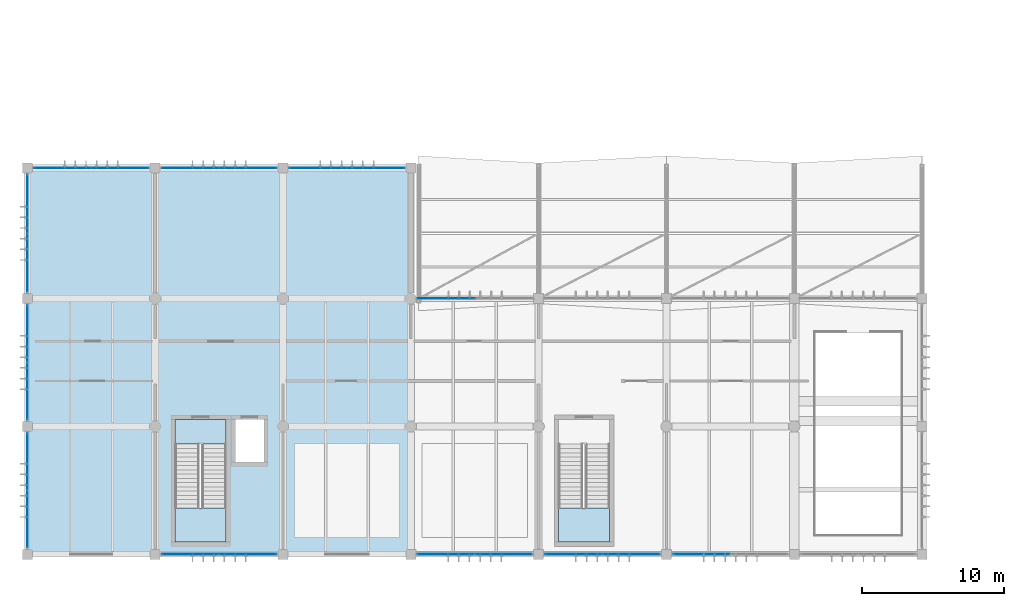
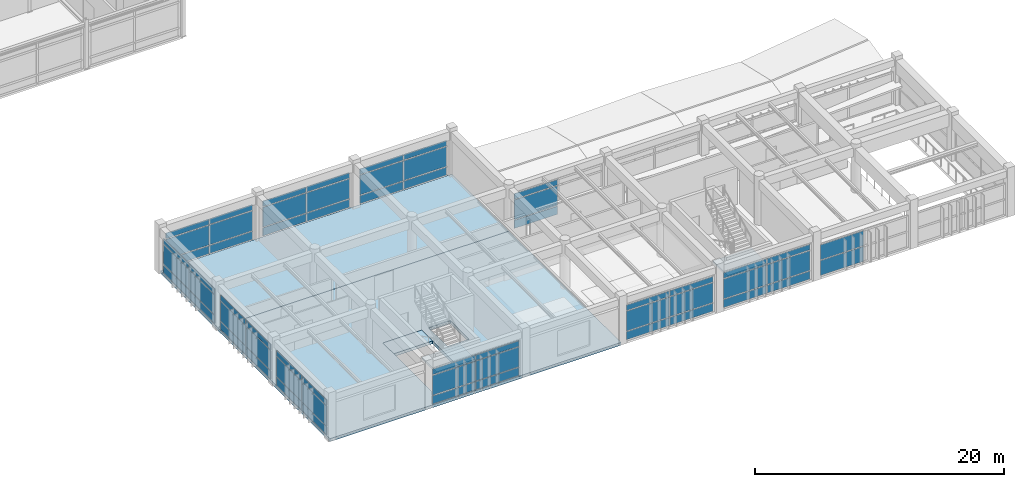
# One storey, part 52 of 90: 59 plates, 5 slabs, 13 elements without a shape of their own.
"""IFC4 building model written with IfcOpenShell, lengths in metres."""

import ifcopenshell
import ifcopenshell.guid

model = None  # the IFC model being written
_history = None  # IfcOwnerHistory: only IFC2X3 demands one
_inside = {}  # id of a spatial element -> (the spatial element, [elements in it])
_under = {}  # id of a project, library or spatial element -> (it, [spatial elements below it])
_declared = {}  # id of a project -> (the project, [libraries it declares])
_typed = {}  # id of a type object -> (the type object, [elements of that type])
_made_of = {}  # id of a material, layer set ... -> (it, [elements and type objects made of it])


def new_model(schema):
    """Start an empty IFC model of exactly this schema.

    Asked for "IFC4X3", IfcOpenShell would pick the latest addendum, in which some entities
    have other attributes; the version numbers below select the first issue.
    IFC2X3 requires an IfcOwnerHistory on every rooted entity: one is made here for all.
    """
    global model, _history
    if schema == "IFC4X3":
        model = ifcopenshell.file(schema_version=(4, 3, 0, 0))
    else:
        model = ifcopenshell.file(schema=schema)
    _inside.clear()
    _under.clear()
    _declared.clear()
    _typed.clear()
    _made_of.clear()
    _history = None
    if model.schema == "IFC2X3":
        org = make("IfcOrganization", Name="unknown")
        user = make(
            "IfcPersonAndOrganization",
            ThePerson=make("IfcPerson", FamilyName="unknown"),
            TheOrganization=org,
        )
        app = make(
            "IfcApplication",
            ApplicationDeveloper=org,
            Version="unknown",
            ApplicationFullName="unknown",
            ApplicationIdentifier="unknown",
        )
        _history = make(
            "IfcOwnerHistory",
            OwningUser=user,
            OwningApplication=app,
            ChangeAction="ADDED",
            CreationDate=0,
        )
    return model


def make(cls, **values):
    """One entity of the class cls with the attributes given. An attribute that is None is left unset."""
    return model.create_entity(
        cls, **{name: value for name, value in values.items() if value is not None}
    )


def rooted(cls, **values):
    """An entity with a GlobalId (a new one), such as an element, a storey or a relation."""
    return make(cls, GlobalId=ifcopenshell.guid.new(), OwnerHistory=_history, **values)


def si_unit(unit_type, name, prefix=None):
    """IfcSIUnit, for example si_unit("LENGTHUNIT", "METRE", prefix="MILLI")."""
    return make("IfcSIUnit", UnitType=unit_type, Prefix=prefix, Name=name)


def assignment(units):
    """IfcUnitAssignment: the units of a project."""
    return None if units is None else make("IfcUnitAssignment", Units=units)


def point(xyz):
    """IfcCartesianPoint."""
    return None if xyz is None else make("IfcCartesianPoint", Coordinates=xyz)


def direction(xyz):
    """IfcDirection."""
    return None if xyz is None else make("IfcDirection", DirectionRatios=xyz)


def frame(location, z_axis=None, x_axis=None):
    """IfcAxis2Placement3D, a coordinate frame: its origin and axes. An axis left out is left unset."""
    return make(
        "IfcAxis2Placement3D",
        Location=point(location),
        Axis=direction(z_axis),
        RefDirection=direction(x_axis),
    )


def frame_2d(location, x_axis=None):
    """IfcAxis2Placement2D, a coordinate frame in the plane: its origin and x axis."""
    return make(
        "IfcAxis2Placement2D", Location=point(location), RefDirection=direction(x_axis)
    )


def origin():
    """The frame at (0, 0, 0) with its axes left unset."""
    return frame((0.0, 0.0, 0.0))


def origin_2d():
    """The frame at (0, 0) in the plane with its x axis left unset."""
    return frame_2d((0.0, 0.0))


def place(relative_to, where):
    """IfcLocalPlacement: puts the frame where relative to a parent placement (None: the world)."""
    return make(
        "IfcLocalPlacement", PlacementRelTo=relative_to, RelativePlacement=where
    )


def context(
    kind, dimensions, precision=None, world=None, true_north=None, identifier=None
):
    """IfcGeometricRepresentationContext, for example the 3D "Model" context."""
    return make(
        "IfcGeometricRepresentationContext",
        ContextIdentifier=identifier,
        ContextType=kind,
        CoordinateSpaceDimension=dimensions,
        Precision=precision,
        WorldCoordinateSystem=world,
        TrueNorth=true_north,
    )


def subcontext(parent, identifier, kind, view, scale=None):
    """IfcGeometricRepresentationSubContext, for example "Body" below "Model"."""
    return make(
        "IfcGeometricRepresentationSubContext",
        ContextIdentifier=identifier,
        ContextType=kind,
        ParentContext=parent,
        TargetScale=scale,
        TargetView=view,
    )


def project(units=None, contexts=None):
    """IfcProject with its units and contexts."""
    return rooted(
        "IfcProject",
        Name="project",
        RepresentationContexts=contexts,
        UnitsInContext=assignment(units),
    )


def spatial(cls, under=None, at=None, **own):
    """A site, building, storey or space (cls), placed at a placement, below another one or the project."""
    s = rooted(cls, ObjectPlacement=at, **own)
    if under is not None:
        _under.setdefault(under.id(), (under, []))[1].append(s)
    return s


def polyline(points):
    """IfcPolyline through the points."""
    return make("IfcPolyline", Points=[point(p) for p in points])


def profile(cls, at=None, kind="AREA", **sizes):
    """A parametric profile (cls). Its sizes go by their IFC names, for example OverallWidth=200.0."""
    return make(cls, ProfileType=kind, Position=at, **sizes)


def rectangle(**sizes):
    """IfcRectangleProfileDef."""
    return profile("IfcRectangleProfileDef", **sizes)


def outline(outer, holes=None, kind="AREA"):
    """IfcArbitraryClosedProfileDef: a profile drawn as a closed curve; with holes, ...WithVoids."""
    if holes is None:
        return make("IfcArbitraryClosedProfileDef", ProfileType=kind, OuterCurve=outer)
    return make(
        "IfcArbitraryProfileDefWithVoids",
        ProfileType=kind,
        OuterCurve=outer,
        InnerCurves=holes,
    )


def extrude(swept, where, along, depth):
    """IfcExtrudedAreaSolid: the profile swept, set in the frame where, extruded along a direction by depth."""
    return make(
        "IfcExtrudedAreaSolid",
        SweptArea=swept,
        Position=where,
        ExtrudedDirection=direction(along),
        Depth=depth,
    )


def shape(context_of_items, identifier, shape_type, items):
    """IfcShapeRepresentation: the items that make up one representation, for example the "Body"."""
    return make(
        "IfcShapeRepresentation",
        ContextOfItems=context_of_items,
        RepresentationIdentifier=identifier,
        RepresentationType=shape_type,
        Items=items,
    )


def material(Name=None, Category=None):
    """IfcMaterial."""
    return make("IfcMaterial", Name=Name, Category=Category)


def layer(
    of_material, thickness, ventilated=None, Name=None, Category=None, Priority=None
):
    """IfcMaterialLayer: one layer of a wall or slab, of a material (None: an air gap)."""
    return make(
        "IfcMaterialLayer",
        Material=of_material,
        LayerThickness=thickness,
        IsVentilated=ventilated,
        Name=Name,
        Category=Category,
        Priority=Priority,
    )


def layer_set(layers, Name=None):
    """IfcMaterialLayerSet."""
    return make("IfcMaterialLayerSet", MaterialLayers=layers, LayerSetName=Name)


def made_of(thing, what):
    """Note that an element or type object is made of a material, layer set ...; save() writes the relation."""
    if what is not None:
        _made_of.setdefault(what.id(), (what, []))[1].append(thing)
    return thing


def type_object(cls, material=None, **own):
    """A type object (cls), such as IfcWallType, which elements share."""
    return made_of(rooted(cls, **own), material)


def element(
    cls,
    number,
    at=None,
    inside=None,
    cuts=None,
    type_object=None,
    material=None,
    context=None,
    identifier="Body",
    shape_type=None,
    held_by="IfcProductDefinitionShape",
    body=None,
    shapes=None,
    **own,
):
    """One element of the class cls, such as IfcWall. Its Tag is "e" and its number.

    at: its placement. inside: the storey or other place that contains it. cuts: it is an
    opening in that element (IfcRelVoidsElement). A single representation is given by context,
    identifier, shape_type and body (its items); several are given by shapes. held_by: the class
    of the entity that holds the representations. save() writes the other relations.
    """
    e = rooted(cls, Tag="e%d" % number, ObjectPlacement=at, **own)
    if body is not None:
        shapes = [shape(context, identifier, shape_type, body)]
    if shapes is not None:
        e.Representation = make(held_by, Representations=shapes)
    if inside is not None:
        _inside.setdefault(inside.id(), (inside, []))[1].append(e)
    if cuts is not None:
        rooted(
            "IfcRelVoidsElement", RelatingBuildingElement=cuts, RelatedOpeningElement=e
        )
    if type_object is not None:
        _typed.setdefault(type_object.id(), (type_object, []))[1].append(e)
    return made_of(e, material)


def aggregate(whole, parts):
    """IfcRelAggregates: a whole, such as a stair, and the parts it consists of."""
    return rooted("IfcRelAggregates", RelatingObject=whole, RelatedObjects=parts)


def save(model, path):
    """Write the relations noted so far, then the file.

    IfcRelAggregates (storeys below a building ...), IfcRelContainedInSpatialStructure (elements
    in a storey), IfcRelDefinesByType, IfcRelAssociatesMaterial and IfcRelDeclares: one each for
    every whole, place, type object, material and project.
    """
    for whole, parts in _under.values():
        aggregate(whole, parts)
    for where, things in _inside.values():
        rooted(
            "IfcRelContainedInSpatialStructure",
            RelatedElements=things,
            RelatingStructure=where,
        )
    for kind, things in _typed.values():
        rooted("IfcRelDefinesByType", RelatedObjects=things, RelatingType=kind)
    for what, things in _made_of.values():
        rooted("IfcRelAssociatesMaterial", RelatedObjects=things, RelatingMaterial=what)
    for by, libraries in _declared.values():
        rooted("IfcRelDeclares", RelatingContext=by, RelatedDefinitions=libraries)
    model.write(path)


model = new_model("IFC4")

# Units and contexts
model_context = context("Model", 3, precision=1e-05, world=origin(), true_north=direction((0.0, 1.0)))
body_context = subcontext(model_context, "Body", "Model", "MODEL_VIEW")
ifc_project = project(units=[si_unit("LENGTHUNIT", "METRE"), si_unit("AREAUNIT", "SQUARE_METRE"), si_unit("VOLUMEUNIT", "CUBIC_METRE"), si_unit("PLANEANGLEUNIT", "RADIAN"), si_unit("MASSUNIT", "GRAM", prefix="KILO")], contexts=[model_context])

# Site, building, storey
site_placement = place(None, origin())
site = spatial("IfcSite", under=ifc_project, at=site_placement, CompositionType="ELEMENT")
building_placement = place(site_placement, origin())
building = spatial("IfcBuilding", under=site, at=building_placement, Name="Bozkorgan Art Gallery", CompositionType="ELEMENT")
storey_placement = place(building_placement, frame((0.0, 0.0, 5.39990234375)))
storey = spatial("IfcBuildingStorey", under=building, at=storey_placement, Name="L01", CompositionType="ELEMENT", Elevation=5.39990234375)

# Curtain wall, plates
ifc_material_1 = material(Name="Anodised Bronze Aluminium", Category="aluminium")
curtain_wall_type_1 = type_object("IfcCurtainWallType", Name="CW-CW-94", PredefinedType="NOTDEFINED", material=ifc_material_1)
curtain_wall_1_placement = place(storey_placement, origin())
curtain_wall_1 = element("IfcCurtainWall", 1, at=curtain_wall_1_placement, inside=storey, type_object=curtain_wall_type_1, Name="L01 unitised curtain wall CW-V1-L01-1S-02", PredefinedType="NOTDEFINED")
ifc_material_2 = material(Name="Triple Low-E Laminated Glass", Category="glass")
ifc_layer_1 = layer(ifc_material_2, 0.0439453125, Name="Triple Low-E Laminated Glass")
ifc_layer_set_1 = layer_set([ifc_layer_1], Name="Triple Low-E Laminated Glass")
plate_type = type_object("IfcPlateType", Name="CWP-GLZ", PredefinedType="CURTAIN_PANEL", material=ifc_layer_set_1)
plate_1_placement = place(storey_placement, frame((13.4736328125, 2.0, 0.094970703125), z_axis=(0.0, 0.0, 1.0), x_axis=(1.0, 0.0, 0.0)))
plate_1 = element("IfcPlate", 2, at=plate_1_placement, type_object=plate_type, Name="CW-94 panel 1.1", PredefinedType="CURTAIN_PANEL", context=body_context, shape_type="SweptSolid", body=[
    extrude(rectangle(XDim=3.987548828125, YDim=0.0439453125, at=origin_2d()), origin(), (0.0, 0.0, 1.0), 0.78759765625),
])
plate_2_placement = place(storey_placement, frame((13.4736328125, 2.0, 0.95751953125), z_axis=(0.0, 0.0, 1.0), x_axis=(1.0, 0.0, 0.0)))
plate_2 = element("IfcPlate", 3, at=plate_2_placement, type_object=plate_type, Name="CW-94 panel 1.2", PredefinedType="CURTAIN_PANEL", context=body_context, shape_type="SweptSolid", body=[
    extrude(rectangle(XDim=3.987548828125, YDim=0.0439453125, at=origin_2d()), origin(), (0.0, 0.0, 1.0), 1.929931640625),
])
plate_3_placement = place(storey_placement, frame((13.4736328125, 2.0, 2.962646484375), z_axis=(0.0, 0.0, 1.0), x_axis=(1.0, 0.0, 0.0)))
plate_3 = element("IfcPlate", 4, at=plate_3_placement, type_object=plate_type, Name="CW-94 panel 1.3", PredefinedType="CURTAIN_PANEL", context=body_context, shape_type="SweptSolid", body=[
    extrude(rectangle(XDim=3.987548828125, YDim=0.0439453125, at=origin_2d()), origin(), (0.0, 0.0, 1.0), 0.53759765625),
])
plate_4_placement = place(storey_placement, frame((17.5263671875, 2.0, 0.094970703125), z_axis=(0.0, 0.0, 1.0), x_axis=(1.0, 0.0, 0.0)))
plate_4 = element("IfcPlate", 5, at=plate_4_placement, type_object=plate_type, Name="CW-94 panel 2.1", PredefinedType="CURTAIN_PANEL", context=body_context, shape_type="SweptSolid", body=[
    extrude(rectangle(XDim=3.987548828125, YDim=0.0439453125, at=origin_2d()), origin(), (0.0, 0.0, 1.0), 0.78759765625),
])
plate_5_placement = place(storey_placement, frame((17.5263671875, 2.0, 0.95751953125), z_axis=(0.0, 0.0, 1.0), x_axis=(1.0, 0.0, 0.0)))
plate_5 = element("IfcPlate", 6, at=plate_5_placement, type_object=plate_type, Name="CW-94 panel 2.2", PredefinedType="CURTAIN_PANEL", context=body_context, shape_type="SweptSolid", body=[
    extrude(rectangle(XDim=3.987548828125, YDim=0.0439453125, at=origin_2d()), origin(), (0.0, 0.0, 1.0), 1.929931640625),
])
plate_6_placement = place(storey_placement, frame((17.5263671875, 2.0, 2.962646484375), z_axis=(0.0, 0.0, 1.0), x_axis=(1.0, 0.0, 0.0)))
plate_6 = element("IfcPlate", 7, at=plate_6_placement, type_object=plate_type, Name="CW-94 panel 2.3", PredefinedType="CURTAIN_PANEL", context=body_context, shape_type="SweptSolid", body=[
    extrude(rectangle(XDim=3.987548828125, YDim=0.0439453125, at=origin_2d()), origin(), (0.0, 0.0, 1.0), 0.53759765625),
])
aggregate(curtain_wall_1, [plate_1, plate_2, plate_3, plate_4, plate_5, plate_6])

curtain_wall_2_placement = place(storey_placement, origin())
curtain_wall_2 = element("IfcCurtainWall", 8, at=curtain_wall_2_placement, inside=storey, type_object=curtain_wall_type_1, Name="L01 unitised curtain wall CW-V1-L01-1S-04", PredefinedType="NOTDEFINED")
plate_7_placement = place(storey_placement, frame((31.4736328125, 2.0, 0.094970703125), z_axis=(0.0, 0.0, 1.0), x_axis=(1.0, 0.0, 0.0)))
plate_7 = element("IfcPlate", 9, at=plate_7_placement, type_object=plate_type, Name="CW-94 panel 1.1", PredefinedType="CURTAIN_PANEL", context=body_context, shape_type="SweptSolid", body=[
    extrude(rectangle(XDim=3.987548828125, YDim=0.0439453125, at=origin_2d()), origin(), (0.0, 0.0, 1.0), 0.78759765625),
])
plate_8_placement = place(storey_placement, frame((31.4736328125, 2.0, 0.95751953125), z_axis=(0.0, 0.0, 1.0), x_axis=(1.0, 0.0, 0.0)))
plate_8 = element("IfcPlate", 10, at=plate_8_placement, type_object=plate_type, Name="CW-94 panel 1.2", PredefinedType="CURTAIN_PANEL", context=body_context, shape_type="SweptSolid", body=[
    extrude(rectangle(XDim=3.987548828125, YDim=0.0439453125, at=origin_2d()), origin(), (0.0, 0.0, 1.0), 1.929931640625),
])
plate_9_placement = place(storey_placement, frame((31.4736328125, 2.0, 2.962646484375), z_axis=(0.0, 0.0, 1.0), x_axis=(1.0, 0.0, 0.0)))
plate_9 = element("IfcPlate", 11, at=plate_9_placement, type_object=plate_type, Name="CW-94 panel 1.3", PredefinedType="CURTAIN_PANEL", context=body_context, shape_type="SweptSolid", body=[
    extrude(rectangle(XDim=3.987548828125, YDim=0.0439453125, at=origin_2d()), origin(), (0.0, 0.0, 1.0), 0.53759765625),
])
plate_10_placement = place(storey_placement, frame((35.5263671875, 2.0, 0.094970703125), z_axis=(0.0, 0.0, 1.0), x_axis=(1.0, 0.0, 0.0)))
plate_10 = element("IfcPlate", 12, at=plate_10_placement, type_object=plate_type, Name="CW-94 panel 2.1", PredefinedType="CURTAIN_PANEL", context=body_context, shape_type="SweptSolid", body=[
    extrude(rectangle(XDim=3.987548828125, YDim=0.0439453125, at=origin_2d()), origin(), (0.0, 0.0, 1.0), 0.78759765625),
])
plate_11_placement = place(storey_placement, frame((35.5263671875, 2.0, 0.95751953125), z_axis=(0.0, 0.0, 1.0), x_axis=(1.0, 0.0, 0.0)))
plate_11 = element("IfcPlate", 13, at=plate_11_placement, type_object=plate_type, Name="CW-94 panel 2.2", PredefinedType="CURTAIN_PANEL", context=body_context, shape_type="SweptSolid", body=[
    extrude(rectangle(XDim=3.987548828125, YDim=0.0439453125, at=origin_2d()), origin(), (0.0, 0.0, 1.0), 1.929931640625),
])
plate_12_placement = place(storey_placement, frame((35.5263671875, 2.0, 2.962646484375), z_axis=(0.0, 0.0, 1.0), x_axis=(1.0, 0.0, 0.0)))
plate_12 = element("IfcPlate", 14, at=plate_12_placement, type_object=plate_type, Name="CW-94 panel 2.3", PredefinedType="CURTAIN_PANEL", context=body_context, shape_type="SweptSolid", body=[
    extrude(rectangle(XDim=3.987548828125, YDim=0.0439453125, at=origin_2d()), origin(), (0.0, 0.0, 1.0), 0.53759765625),
])
aggregate(curtain_wall_2, [plate_7, plate_8, plate_9, plate_10, plate_11, plate_12])

curtain_wall_type_2 = type_object("IfcCurtainWallType", Name="CW-CW-40", PredefinedType="NOTDEFINED", material=ifc_material_1)
curtain_wall_3_placement = place(storey_placement, origin())
curtain_wall_3 = element("IfcCurtainWall", 15, at=curtain_wall_3_placement, inside=storey, type_object=curtain_wall_type_2, Name="L01 unitised curtain wall CW-V1-L01-1N-05", PredefinedType="NOTDEFINED")
plate_13_placement = place(storey_placement, frame((31.486328125, 20.0, 0.094970703125), z_axis=(0.0, 0.0, 1.0), x_axis=(1.0, 0.0, 0.0)))
plate_13 = element("IfcPlate", 16, at=plate_13_placement, type_object=plate_type, Name="CW-40 panel 1.1", PredefinedType="CURTAIN_PANEL", context=body_context, shape_type="SweptSolid", body=[
    extrude(rectangle(XDim=4.012451171875, YDim=0.0439453125, at=origin_2d()), origin(), (0.0, 0.0, 1.0), 0.78759765625),
])
plate_14_placement = place(storey_placement, frame((31.486328125, 20.0, 0.95751953125), z_axis=(0.0, 0.0, 1.0), x_axis=(1.0, 0.0, 0.0)))
plate_14 = element("IfcPlate", 17, at=plate_14_placement, type_object=plate_type, Name="CW-40 panel 1.2", PredefinedType="CURTAIN_PANEL", context=body_context, shape_type="SweptSolid", body=[
    extrude(rectangle(XDim=4.012451171875, YDim=0.0439453125, at=origin_2d()), origin(), (0.0, 0.0, 1.0), 1.929931640625),
])
plate_15_placement = place(storey_placement, frame((31.486328125, 20.0, 2.962646484375), z_axis=(0.0, 0.0, 1.0), x_axis=(1.0, 0.0, 0.0)))
plate_15 = element("IfcPlate", 18, at=plate_15_placement, type_object=plate_type, Name="CW-40 panel 1.3", PredefinedType="CURTAIN_PANEL", context=body_context, shape_type="SweptSolid", body=[
    extrude(rectangle(XDim=4.012451171875, YDim=0.0439453125, at=origin_2d()), origin(), (0.0, 0.0, 1.0), 0.53759765625),
])
aggregate(curtain_wall_3, [plate_13, plate_14, plate_15])

curtain_wall_4_placement = place(storey_placement, origin())
curtain_wall_4 = element("IfcCurtainWall", 19, at=curtain_wall_4_placement, inside=storey, type_object=curtain_wall_type_1, Name="L01 unitised curtain wall CW-V1-L01-1S-06", PredefinedType="NOTDEFINED")
plate_16_placement = place(storey_placement, frame((40.4736328125, 2.0, 0.094970703125), z_axis=(0.0, 0.0, 1.0), x_axis=(1.0, 0.0, 0.0)))
plate_16 = element("IfcPlate", 20, at=plate_16_placement, type_object=plate_type, Name="CW-94 panel 1.1", PredefinedType="CURTAIN_PANEL", context=body_context, shape_type="SweptSolid", body=[
    extrude(rectangle(XDim=3.987548828125, YDim=0.0439453125, at=origin_2d()), origin(), (0.0, 0.0, 1.0), 0.78759765625),
])
plate_17_placement = place(storey_placement, frame((40.4736328125, 2.0, 0.95751953125), z_axis=(0.0, 0.0, 1.0), x_axis=(1.0, 0.0, 0.0)))
plate_17 = element("IfcPlate", 21, at=plate_17_placement, type_object=plate_type, Name="CW-94 panel 1.2", PredefinedType="CURTAIN_PANEL", context=body_context, shape_type="SweptSolid", body=[
    extrude(rectangle(XDim=3.987548828125, YDim=0.0439453125, at=origin_2d()), origin(), (0.0, 0.0, 1.0), 1.929931640625),
])
plate_18_placement = place(storey_placement, frame((40.4736328125, 2.0, 2.962646484375), z_axis=(0.0, 0.0, 1.0), x_axis=(1.0, 0.0, 0.0)))
plate_18 = element("IfcPlate", 22, at=plate_18_placement, type_object=plate_type, Name="CW-94 panel 1.3", PredefinedType="CURTAIN_PANEL", context=body_context, shape_type="SweptSolid", body=[
    extrude(rectangle(XDim=3.987548828125, YDim=0.0439453125, at=origin_2d()), origin(), (0.0, 0.0, 1.0), 0.53759765625),
])
plate_19_placement = place(storey_placement, frame((44.5263671875, 2.0, 0.094970703125), z_axis=(0.0, 0.0, 1.0), x_axis=(1.0, 0.0, 0.0)))
plate_19 = element("IfcPlate", 23, at=plate_19_placement, type_object=plate_type, Name="CW-94 panel 2.1", PredefinedType="CURTAIN_PANEL", context=body_context, shape_type="SweptSolid", body=[
    extrude(rectangle(XDim=3.987548828125, YDim=0.0439453125, at=origin_2d()), origin(), (0.0, 0.0, 1.0), 0.78759765625),
])
plate_20_placement = place(storey_placement, frame((44.5263671875, 2.0, 0.95751953125), z_axis=(0.0, 0.0, 1.0), x_axis=(1.0, 0.0, 0.0)))
plate_20 = element("IfcPlate", 24, at=plate_20_placement, type_object=plate_type, Name="CW-94 panel 2.2", PredefinedType="CURTAIN_PANEL", context=body_context, shape_type="SweptSolid", body=[
    extrude(rectangle(XDim=3.987548828125, YDim=0.0439453125, at=origin_2d()), origin(), (0.0, 0.0, 1.0), 1.929931640625),
])
plate_21_placement = place(storey_placement, frame((44.5263671875, 2.0, 2.962646484375), z_axis=(0.0, 0.0, 1.0), x_axis=(1.0, 0.0, 0.0)))
plate_21 = element("IfcPlate", 25, at=plate_21_placement, type_object=plate_type, Name="CW-94 panel 2.3", PredefinedType="CURTAIN_PANEL", context=body_context, shape_type="SweptSolid", body=[
    extrude(rectangle(XDim=3.987548828125, YDim=0.0439453125, at=origin_2d()), origin(), (0.0, 0.0, 1.0), 0.53759765625),
])
aggregate(curtain_wall_4, [plate_16, plate_17, plate_18, plate_19, plate_20, plate_21])

curtain_wall_type_3 = type_object("IfcCurtainWallType", Name="CW-CW-73", PredefinedType="NOTDEFINED", material=ifc_material_1)
curtain_wall_5_placement = place(storey_placement, origin())
curtain_wall_5 = element("IfcCurtainWall", 26, at=curtain_wall_5_placement, inside=storey, type_object=curtain_wall_type_3, Name="L01 unitised curtain wall CW-V1-L01-1S-08", PredefinedType="NOTDEFINED")
plate_22_placement = place(storey_placement, frame((49.4736328125, 2.0, 0.09521484375), z_axis=(0.0, 0.0, 1.0), x_axis=(1.0, 0.0, 0.0)))
plate_22 = element("IfcPlate", 27, at=plate_22_placement, type_object=plate_type, Name="CW-73 panel 1.1", PredefinedType="CURTAIN_PANEL", context=body_context, shape_type="SweptSolid", body=[
    extrude(rectangle(XDim=3.987548828125, YDim=0.0439453125, at=origin_2d()), origin(), (0.0, 0.0, 1.0), 1.464599609375),
])
plate_23_placement = place(storey_placement, frame((49.4736328125, 2.0, 1.634765625), z_axis=(0.0, 0.0, 1.0), x_axis=(1.0, 0.0, 0.0)))
plate_23 = element("IfcPlate", 28, at=plate_23_placement, type_object=plate_type, Name="CW-73 panel 1.2", PredefinedType="CURTAIN_PANEL", context=body_context, shape_type="SweptSolid", body=[
    extrude(rectangle(XDim=3.987548828125, YDim=0.0439453125, at=origin_2d()), origin(), (0.0, 0.0, 1.0), 1.465576171875),
])
aggregate(curtain_wall_5, [plate_22, plate_23])

curtain_wall_6_placement = place(storey_placement, origin())
curtain_wall_6 = element("IfcCurtainWall", 29, at=curtain_wall_6_placement, inside=storey, type_object=curtain_wall_type_1, Name="L01 unitised curtain wall CW-V1-L01-1W-12", PredefinedType="NOTDEFINED")
plate_24_placement = place(storey_placement, frame((2.0, 4.4736328125, 0.094970703125), z_axis=(0.0, 0.0, 1.0), x_axis=(0.0, 1.0, 0.0)))
plate_24 = element("IfcPlate", 30, at=plate_24_placement, type_object=plate_type, Name="CW-94 panel 1.1", PredefinedType="CURTAIN_PANEL", context=body_context, shape_type="SweptSolid", body=[
    extrude(rectangle(XDim=3.987548828125, YDim=0.0439453125, at=origin_2d()), origin(), (0.0, 0.0, 1.0), 0.78759765625),
])
plate_25_placement = place(storey_placement, frame((2.0, 4.4736328125, 0.95751953125), z_axis=(0.0, 0.0, 1.0), x_axis=(0.0, 1.0, 0.0)))
plate_25 = element("IfcPlate", 31, at=plate_25_placement, type_object=plate_type, Name="CW-94 panel 1.2", PredefinedType="CURTAIN_PANEL", context=body_context, shape_type="SweptSolid", body=[
    extrude(rectangle(XDim=3.987548828125, YDim=0.0439453125, at=origin_2d()), origin(), (0.0, 0.0, 1.0), 1.929931640625),
])
plate_26_placement = place(storey_placement, frame((2.0, 4.4736328125, 2.962646484375), z_axis=(0.0, 0.0, 1.0), x_axis=(0.0, 1.0, 0.0)))
plate_26 = element("IfcPlate", 32, at=plate_26_placement, type_object=plate_type, Name="CW-94 panel 1.3", PredefinedType="CURTAIN_PANEL", context=body_context, shape_type="SweptSolid", body=[
    extrude(rectangle(XDim=3.987548828125, YDim=0.0439453125, at=origin_2d()), origin(), (0.0, 0.0, 1.0), 0.53759765625),
])
plate_27_placement = place(storey_placement, frame((2.0, 8.5263671875, 0.094970703125), z_axis=(0.0, 0.0, 1.0), x_axis=(0.0, 1.0, 0.0)))
plate_27 = element("IfcPlate", 33, at=plate_27_placement, type_object=plate_type, Name="CW-94 panel 2.1", PredefinedType="CURTAIN_PANEL", context=body_context, shape_type="SweptSolid", body=[
    extrude(rectangle(XDim=3.987548828125, YDim=0.0439453125, at=origin_2d()), origin(), (0.0, 0.0, 1.0), 0.78759765625),
])
plate_28_placement = place(storey_placement, frame((2.0, 8.5263671875, 0.95751953125), z_axis=(0.0, 0.0, 1.0), x_axis=(0.0, 1.0, 0.0)))
plate_28 = element("IfcPlate", 34, at=plate_28_placement, type_object=plate_type, Name="CW-94 panel 2.2", PredefinedType="CURTAIN_PANEL", context=body_context, shape_type="SweptSolid", body=[
    extrude(rectangle(XDim=3.987548828125, YDim=0.0439453125, at=origin_2d()), origin(), (0.0, 0.0, 1.0), 1.929931640625),
])
plate_29_placement = place(storey_placement, frame((2.0, 8.5263671875, 2.962646484375), z_axis=(0.0, 0.0, 1.0), x_axis=(0.0, 1.0, 0.0)))
plate_29 = element("IfcPlate", 35, at=plate_29_placement, type_object=plate_type, Name="CW-94 panel 2.3", PredefinedType="CURTAIN_PANEL", context=body_context, shape_type="SweptSolid", body=[
    extrude(rectangle(XDim=3.987548828125, YDim=0.0439453125, at=origin_2d()), origin(), (0.0, 0.0, 1.0), 0.53759765625),
])
aggregate(curtain_wall_6, [plate_24, plate_25, plate_26, plate_27, plate_28, plate_29])

curtain_wall_7_placement = place(storey_placement, origin())
curtain_wall_7 = element("IfcCurtainWall", 36, at=curtain_wall_7_placement, inside=storey, type_object=curtain_wall_type_1, Name="L01 unitised curtain wall CW-V1-L01-1W-14", PredefinedType="NOTDEFINED")
plate_30_placement = place(storey_placement, frame((2.0, 13.4736328125, 0.094970703125), z_axis=(0.0, 0.0, 1.0), x_axis=(0.0, 1.0, 0.0)))
plate_30 = element("IfcPlate", 37, at=plate_30_placement, type_object=plate_type, Name="CW-94 panel 1.1", PredefinedType="CURTAIN_PANEL", context=body_context, shape_type="SweptSolid", body=[
    extrude(rectangle(XDim=3.987548828125, YDim=0.0439453125, at=origin_2d()), origin(), (0.0, 0.0, 1.0), 0.78759765625),
])
plate_31_placement = place(storey_placement, frame((2.0, 13.4736328125, 0.95751953125), z_axis=(0.0, 0.0, 1.0), x_axis=(0.0, 1.0, 0.0)))
plate_31 = element("IfcPlate", 38, at=plate_31_placement, type_object=plate_type, Name="CW-94 panel 1.2", PredefinedType="CURTAIN_PANEL", context=body_context, shape_type="SweptSolid", body=[
    extrude(rectangle(XDim=3.987548828125, YDim=0.0439453125, at=origin_2d()), origin(), (0.0, 0.0, 1.0), 1.929931640625),
])
plate_32_placement = place(storey_placement, frame((2.0, 13.4736328125, 2.962646484375), z_axis=(0.0, 0.0, 1.0), x_axis=(0.0, 1.0, 0.0)))
plate_32 = element("IfcPlate", 39, at=plate_32_placement, type_object=plate_type, Name="CW-94 panel 1.3", PredefinedType="CURTAIN_PANEL", context=body_context, shape_type="SweptSolid", body=[
    extrude(rectangle(XDim=3.987548828125, YDim=0.0439453125, at=origin_2d()), origin(), (0.0, 0.0, 1.0), 0.53759765625),
])
plate_33_placement = place(storey_placement, frame((2.0, 17.5263671875, 0.094970703125), z_axis=(0.0, 0.0, 1.0), x_axis=(0.0, 1.0, 0.0)))
plate_33 = element("IfcPlate", 40, at=plate_33_placement, type_object=plate_type, Name="CW-94 panel 2.1", PredefinedType="CURTAIN_PANEL", context=body_context, shape_type="SweptSolid", body=[
    extrude(rectangle(XDim=3.987548828125, YDim=0.0439453125, at=origin_2d()), origin(), (0.0, 0.0, 1.0), 0.78759765625),
])
plate_34_placement = place(storey_placement, frame((2.0, 17.5263671875, 0.95751953125), z_axis=(0.0, 0.0, 1.0), x_axis=(0.0, 1.0, 0.0)))
plate_34 = element("IfcPlate", 41, at=plate_34_placement, type_object=plate_type, Name="CW-94 panel 2.2", PredefinedType="CURTAIN_PANEL", context=body_context, shape_type="SweptSolid", body=[
    extrude(rectangle(XDim=3.987548828125, YDim=0.0439453125, at=origin_2d()), origin(), (0.0, 0.0, 1.0), 1.929931640625),
])
plate_35_placement = place(storey_placement, frame((2.0, 17.5263671875, 2.962646484375), z_axis=(0.0, 0.0, 1.0), x_axis=(0.0, 1.0, 0.0)))
plate_35 = element("IfcPlate", 42, at=plate_35_placement, type_object=plate_type, Name="CW-94 panel 2.3", PredefinedType="CURTAIN_PANEL", context=body_context, shape_type="SweptSolid", body=[
    extrude(rectangle(XDim=3.987548828125, YDim=0.0439453125, at=origin_2d()), origin(), (0.0, 0.0, 1.0), 0.53759765625),
])
aggregate(curtain_wall_7, [plate_30, plate_31, plate_32, plate_33, plate_34, plate_35])

curtain_wall_8_placement = place(storey_placement, origin())
curtain_wall_8 = element("IfcCurtainWall", 43, at=curtain_wall_8_placement, inside=storey, type_object=curtain_wall_type_1, Name="L01 unitised curtain wall CW-V1-L01-2N-01", PredefinedType="NOTDEFINED")
plate_36_placement = place(storey_placement, frame((4.4736328125, 29.199951171875, 0.094970703125), z_axis=(0.0, 0.0, 1.0), x_axis=(1.0, 0.0, 0.0)))
plate_36 = element("IfcPlate", 44, at=plate_36_placement, type_object=plate_type, Name="CW-94 panel 1.1", PredefinedType="CURTAIN_PANEL", context=body_context, shape_type="SweptSolid", body=[
    extrude(rectangle(XDim=3.987548828125, YDim=0.0439453125, at=origin_2d()), origin(), (0.0, 0.0, 1.0), 0.78759765625),
])
plate_37_placement = place(storey_placement, frame((4.4736328125, 29.199951171875, 0.95751953125), z_axis=(0.0, 0.0, 1.0), x_axis=(1.0, 0.0, 0.0)))
plate_37 = element("IfcPlate", 45, at=plate_37_placement, type_object=plate_type, Name="CW-94 panel 1.2", PredefinedType="CURTAIN_PANEL", context=body_context, shape_type="SweptSolid", body=[
    extrude(rectangle(XDim=3.987548828125, YDim=0.0439453125, at=origin_2d()), origin(), (0.0, 0.0, 1.0), 1.929931640625),
])
plate_38_placement = place(storey_placement, frame((4.4736328125, 29.199951171875, 2.962646484375), z_axis=(0.0, 0.0, 1.0), x_axis=(1.0, 0.0, 0.0)))
plate_38 = element("IfcPlate", 46, at=plate_38_placement, type_object=plate_type, Name="CW-94 panel 1.3", PredefinedType="CURTAIN_PANEL", context=body_context, shape_type="SweptSolid", body=[
    extrude(rectangle(XDim=3.987548828125, YDim=0.0439453125, at=origin_2d()), origin(), (0.0, 0.0, 1.0), 0.53759765625),
])
plate_39_placement = place(storey_placement, frame((8.5263671875, 29.199951171875, 0.094970703125), z_axis=(0.0, 0.0, 1.0), x_axis=(1.0, 0.0, 0.0)))
plate_39 = element("IfcPlate", 47, at=plate_39_placement, type_object=plate_type, Name="CW-94 panel 2.1", PredefinedType="CURTAIN_PANEL", context=body_context, shape_type="SweptSolid", body=[
    extrude(rectangle(XDim=3.987548828125, YDim=0.0439453125, at=origin_2d()), origin(), (0.0, 0.0, 1.0), 0.78759765625),
])
plate_40_placement = place(storey_placement, frame((8.5263671875, 29.199951171875, 0.95751953125), z_axis=(0.0, 0.0, 1.0), x_axis=(1.0, 0.0, 0.0)))
plate_40 = element("IfcPlate", 48, at=plate_40_placement, type_object=plate_type, Name="CW-94 panel 2.2", PredefinedType="CURTAIN_PANEL", context=body_context, shape_type="SweptSolid", body=[
    extrude(rectangle(XDim=3.987548828125, YDim=0.0439453125, at=origin_2d()), origin(), (0.0, 0.0, 1.0), 1.929931640625),
])
plate_41_placement = place(storey_placement, frame((8.5263671875, 29.199951171875, 2.962646484375), z_axis=(0.0, 0.0, 1.0), x_axis=(1.0, 0.0, 0.0)))
plate_41 = element("IfcPlate", 49, at=plate_41_placement, type_object=plate_type, Name="CW-94 panel 2.3", PredefinedType="CURTAIN_PANEL", context=body_context, shape_type="SweptSolid", body=[
    extrude(rectangle(XDim=3.987548828125, YDim=0.0439453125, at=origin_2d()), origin(), (0.0, 0.0, 1.0), 0.53759765625),
])
aggregate(curtain_wall_8, [plate_36, plate_37, plate_38, plate_39, plate_40, plate_41])

curtain_wall_9_placement = place(storey_placement, origin())
curtain_wall_9 = element("IfcCurtainWall", 50, at=curtain_wall_9_placement, inside=storey, type_object=curtain_wall_type_1, Name="L01 unitised curtain wall CW-V1-L01-2N-02", PredefinedType="NOTDEFINED")
plate_42_placement = place(storey_placement, frame((13.4736328125, 29.199951171875, 0.094970703125), z_axis=(0.0, 0.0, 1.0), x_axis=(1.0, 0.0, 0.0)))
plate_42 = element("IfcPlate", 51, at=plate_42_placement, type_object=plate_type, Name="CW-94 panel 1.1", PredefinedType="CURTAIN_PANEL", context=body_context, shape_type="SweptSolid", body=[
    extrude(rectangle(XDim=3.987548828125, YDim=0.0439453125, at=origin_2d()), origin(), (0.0, 0.0, 1.0), 0.78759765625),
])
plate_43_placement = place(storey_placement, frame((13.4736328125, 29.199951171875, 0.95751953125), z_axis=(0.0, 0.0, 1.0), x_axis=(1.0, 0.0, 0.0)))
plate_43 = element("IfcPlate", 52, at=plate_43_placement, type_object=plate_type, Name="CW-94 panel 1.2", PredefinedType="CURTAIN_PANEL", context=body_context, shape_type="SweptSolid", body=[
    extrude(rectangle(XDim=3.987548828125, YDim=0.0439453125, at=origin_2d()), origin(), (0.0, 0.0, 1.0), 1.929931640625),
])
plate_44_placement = place(storey_placement, frame((13.4736328125, 29.199951171875, 2.962646484375), z_axis=(0.0, 0.0, 1.0), x_axis=(1.0, 0.0, 0.0)))
plate_44 = element("IfcPlate", 53, at=plate_44_placement, type_object=plate_type, Name="CW-94 panel 1.3", PredefinedType="CURTAIN_PANEL", context=body_context, shape_type="SweptSolid", body=[
    extrude(rectangle(XDim=3.987548828125, YDim=0.0439453125, at=origin_2d()), origin(), (0.0, 0.0, 1.0), 0.53759765625),
])
plate_45_placement = place(storey_placement, frame((17.5263671875, 29.199951171875, 0.094970703125), z_axis=(0.0, 0.0, 1.0), x_axis=(1.0, 0.0, 0.0)))
plate_45 = element("IfcPlate", 54, at=plate_45_placement, type_object=plate_type, Name="CW-94 panel 2.1", PredefinedType="CURTAIN_PANEL", context=body_context, shape_type="SweptSolid", body=[
    extrude(rectangle(XDim=3.987548828125, YDim=0.0439453125, at=origin_2d()), origin(), (0.0, 0.0, 1.0), 0.78759765625),
])
plate_46_placement = place(storey_placement, frame((17.5263671875, 29.199951171875, 0.95751953125), z_axis=(0.0, 0.0, 1.0), x_axis=(1.0, 0.0, 0.0)))
plate_46 = element("IfcPlate", 55, at=plate_46_placement, type_object=plate_type, Name="CW-94 panel 2.2", PredefinedType="CURTAIN_PANEL", context=body_context, shape_type="SweptSolid", body=[
    extrude(rectangle(XDim=3.987548828125, YDim=0.0439453125, at=origin_2d()), origin(), (0.0, 0.0, 1.0), 1.929931640625),
])
plate_47_placement = place(storey_placement, frame((17.5263671875, 29.199951171875, 2.962646484375), z_axis=(0.0, 0.0, 1.0), x_axis=(1.0, 0.0, 0.0)))
plate_47 = element("IfcPlate", 56, at=plate_47_placement, type_object=plate_type, Name="CW-94 panel 2.3", PredefinedType="CURTAIN_PANEL", context=body_context, shape_type="SweptSolid", body=[
    extrude(rectangle(XDim=3.987548828125, YDim=0.0439453125, at=origin_2d()), origin(), (0.0, 0.0, 1.0), 0.53759765625),
])
aggregate(curtain_wall_9, [plate_42, plate_43, plate_44, plate_45, plate_46, plate_47])

curtain_wall_10_placement = place(storey_placement, origin())
curtain_wall_10 = element("IfcCurtainWall", 57, at=curtain_wall_10_placement, inside=storey, type_object=curtain_wall_type_1, Name="L01 unitised curtain wall CW-V1-L01-2N-03", PredefinedType="NOTDEFINED")
plate_48_placement = place(storey_placement, frame((22.4736328125, 29.199951171875, 0.094970703125), z_axis=(0.0, 0.0, 1.0), x_axis=(1.0, 0.0, 0.0)))
plate_48 = element("IfcPlate", 58, at=plate_48_placement, type_object=plate_type, Name="CW-94 panel 1.1", PredefinedType="CURTAIN_PANEL", context=body_context, shape_type="SweptSolid", body=[
    extrude(rectangle(XDim=3.987548828125, YDim=0.0439453125, at=origin_2d()), origin(), (0.0, 0.0, 1.0), 0.78759765625),
])
plate_49_placement = place(storey_placement, frame((22.4736328125, 29.199951171875, 0.95751953125), z_axis=(0.0, 0.0, 1.0), x_axis=(1.0, 0.0, 0.0)))
plate_49 = element("IfcPlate", 59, at=plate_49_placement, type_object=plate_type, Name="CW-94 panel 1.2", PredefinedType="CURTAIN_PANEL", context=body_context, shape_type="SweptSolid", body=[
    extrude(rectangle(XDim=3.987548828125, YDim=0.0439453125, at=origin_2d()), origin(), (0.0, 0.0, 1.0), 1.929931640625),
])
plate_50_placement = place(storey_placement, frame((22.4736328125, 29.199951171875, 2.962646484375), z_axis=(0.0, 0.0, 1.0), x_axis=(1.0, 0.0, 0.0)))
plate_50 = element("IfcPlate", 60, at=plate_50_placement, type_object=plate_type, Name="CW-94 panel 1.3", PredefinedType="CURTAIN_PANEL", context=body_context, shape_type="SweptSolid", body=[
    extrude(rectangle(XDim=3.987548828125, YDim=0.0439453125, at=origin_2d()), origin(), (0.0, 0.0, 1.0), 0.53759765625),
])
plate_51_placement = place(storey_placement, frame((26.5263671875, 29.199951171875, 0.094970703125), z_axis=(0.0, 0.0, 1.0), x_axis=(1.0, 0.0, 0.0)))
plate_51 = element("IfcPlate", 61, at=plate_51_placement, type_object=plate_type, Name="CW-94 panel 2.1", PredefinedType="CURTAIN_PANEL", context=body_context, shape_type="SweptSolid", body=[
    extrude(rectangle(XDim=3.987548828125, YDim=0.0439453125, at=origin_2d()), origin(), (0.0, 0.0, 1.0), 0.78759765625),
])
plate_52_placement = place(storey_placement, frame((26.5263671875, 29.199951171875, 0.95751953125), z_axis=(0.0, 0.0, 1.0), x_axis=(1.0, 0.0, 0.0)))
plate_52 = element("IfcPlate", 62, at=plate_52_placement, type_object=plate_type, Name="CW-94 panel 2.2", PredefinedType="CURTAIN_PANEL", context=body_context, shape_type="SweptSolid", body=[
    extrude(rectangle(XDim=3.987548828125, YDim=0.0439453125, at=origin_2d()), origin(), (0.0, 0.0, 1.0), 1.929931640625),
])
plate_53_placement = place(storey_placement, frame((26.5263671875, 29.199951171875, 2.962646484375), z_axis=(0.0, 0.0, 1.0), x_axis=(1.0, 0.0, 0.0)))
plate_53 = element("IfcPlate", 63, at=plate_53_placement, type_object=plate_type, Name="CW-94 panel 2.3", PredefinedType="CURTAIN_PANEL", context=body_context, shape_type="SweptSolid", body=[
    extrude(rectangle(XDim=3.987548828125, YDim=0.0439453125, at=origin_2d()), origin(), (0.0, 0.0, 1.0), 0.53759765625),
])
aggregate(curtain_wall_10, [plate_48, plate_49, plate_50, plate_51, plate_52, plate_53])

curtain_wall_type_4 = type_object("IfcCurtainWallType", Name="CW-CW-78", PredefinedType="NOTDEFINED", material=ifc_material_1)
curtain_wall_11_placement = place(storey_placement, origin())
curtain_wall_11 = element("IfcCurtainWall", 64, at=curtain_wall_11_placement, inside=storey, type_object=curtain_wall_type_4, Name="L01 unitised curtain wall CW-V1-L01-2W-04", PredefinedType="NOTDEFINED")
plate_54_placement = place(storey_placement, frame((2.0, 22.523681640625, 0.10009765625), z_axis=(0.0, 0.0, 1.0), x_axis=(0.0, 1.0, 0.0)))
plate_54 = element("IfcPlate", 65, at=plate_54_placement, type_object=plate_type, Name="CW-78 panel 1.1", PredefinedType="CURTAIN_PANEL", context=body_context, shape_type="SweptSolid", body=[
    extrude(rectangle(XDim=4.08740234375, YDim=0.0439453125, at=origin_2d()), origin(), (0.0, 0.0, 1.0), 0.780029296875),
])
plate_55_placement = place(storey_placement, frame((2.0, 22.523681640625, 0.9599609375), z_axis=(0.0, 0.0, 1.0), x_axis=(0.0, 1.0, 0.0)))
plate_55 = element("IfcPlate", 66, at=plate_55_placement, type_object=plate_type, Name="CW-78 panel 1.2", PredefinedType="CURTAIN_PANEL", context=body_context, shape_type="SweptSolid", body=[
    extrude(rectangle(XDim=4.08740234375, YDim=0.0439453125, at=origin_2d()), origin(), (0.0, 0.0, 1.0), 1.925048828125),
])
plate_56_placement = place(storey_placement, frame((2.0, 22.523681640625, 2.96484375), z_axis=(0.0, 0.0, 1.0), x_axis=(0.0, 1.0, 0.0)))
plate_56 = element("IfcPlate", 67, at=plate_56_placement, type_object=plate_type, Name="CW-78 panel 1.3", PredefinedType="CURTAIN_PANEL", context=body_context, shape_type="SweptSolid", body=[
    extrude(rectangle(XDim=4.08740234375, YDim=0.0439453125, at=origin_2d()), origin(), (0.0, 0.0, 1.0), 0.530029296875),
])
plate_57_placement = place(storey_placement, frame((2.0, 26.67626953125, 0.10009765625), z_axis=(0.0, 0.0, 1.0), x_axis=(0.0, 1.0, 0.0)))
plate_57 = element("IfcPlate", 68, at=plate_57_placement, type_object=plate_type, Name="CW-78 panel 2.1", PredefinedType="CURTAIN_PANEL", context=body_context, shape_type="SweptSolid", body=[
    extrude(rectangle(XDim=4.08740234375, YDim=0.0439453125, at=origin_2d()), origin(), (0.0, 0.0, 1.0), 0.780029296875),
])
plate_58_placement = place(storey_placement, frame((2.0, 26.67626953125, 0.9599609375), z_axis=(0.0, 0.0, 1.0), x_axis=(0.0, 1.0, 0.0)))
plate_58 = element("IfcPlate", 69, at=plate_58_placement, type_object=plate_type, Name="CW-78 panel 2.2", PredefinedType="CURTAIN_PANEL", context=body_context, shape_type="SweptSolid", body=[
    extrude(rectangle(XDim=4.08740234375, YDim=0.0439453125, at=origin_2d()), origin(), (0.0, 0.0, 1.0), 1.925048828125),
])
plate_59_placement = place(storey_placement, frame((2.0, 26.67626953125, 2.96484375), z_axis=(0.0, 0.0, 1.0), x_axis=(0.0, 1.0, 0.0)))
plate_59 = element("IfcPlate", 70, at=plate_59_placement, type_object=plate_type, Name="CW-78 panel 2.3", PredefinedType="CURTAIN_PANEL", context=body_context, shape_type="SweptSolid", body=[
    extrude(rectangle(XDim=4.08740234375, YDim=0.0439453125, at=origin_2d()), origin(), (0.0, 0.0, 1.0), 0.530029296875),
])
aggregate(curtain_wall_11, [plate_54, plate_55, plate_56, plate_57, plate_58, plate_59])

# Stair, slab
ifc_material_3 = material(Name="Concrete C35/45", Category="concrete")
stair_type_1 = type_object("IfcStairType", Name="STAIR-CORE1", PredefinedType="HALF_TURN_STAIR", material=ifc_material_3)
stair_1_placement = place(storey_placement, origin())
stair_1 = element("IfcStair", 71, at=stair_1_placement, inside=storey, type_object=stair_type_1, Name="L01 ST1 Core Stair", PredefinedType="HALF_TURN_STAIR")
ifc_layer_2 = layer(ifc_material_3, 0.25, Name="Concrete C35/45")
ifc_layer_set_2 = layer_set([ifc_layer_2], Name="Concrete C35/45")
slab_type_1 = type_object("IfcSlabType", Name="LAND-CORE1", PredefinedType="LANDING", material=ifc_layer_set_2)
slab_1_placement = place(storey_placement, frame((0.0, 0.0, 2.2001953125)))
slab_1 = element("IfcSlab", 72, at=slab_1_placement, type_object=slab_type_1, Name="ST1 landing 1", PredefinedType="LANDING", context=body_context, shape_type="SweptSolid", body=[
    extrude(outline(polyline([(12.39990234375, 5.25), (12.39990234375, 2.85009765625), (16.0, 2.85009765625), (16.0, 5.25), (12.39990234375, 5.25)])), origin(), (0.0, 0.0, 1.0), 0.199951171875),
])
aggregate(stair_1, [slab_1])

# Slab
slab_2_placement = place(storey_placement, frame((0.0, 0.0, -0.27978515625)))
element("IfcSlab", 73, at=slab_2_placement, inside=storey, type_object=slab_type_1, Name="ST1 L01 floor landing", PredefinedType="LANDING", context=body_context, shape_type="SweptSolid", body=[
    extrude(outline(polyline([(12.39990234375, 9.75), (16.0, 9.75), (16.0, 11.5), (12.39990234375, 11.5), (12.39990234375, 9.75)])), origin(), (0.0, 0.0, 1.0), 0.27978515625),
])

# Stair, slab
stair_type_2 = type_object("IfcStairType", Name="STAIR-CORE7", PredefinedType="HALF_TURN_STAIR", material=ifc_material_3)
stair_2_placement = place(storey_placement, origin())
stair_2 = element("IfcStair", 74, at=stair_2_placement, inside=storey, type_object=stair_type_2, Name="L01 ST12 Core Stair", PredefinedType="HALF_TURN_STAIR")
ifc_layer_3 = layer(ifc_material_3, 0.25, Name="Concrete C35/45")
ifc_layer_set_3 = layer_set([ifc_layer_3], Name="Concrete C35/45")
slab_type_2 = type_object("IfcSlabType", Name="LAND-CORE7", PredefinedType="LANDING", material=ifc_layer_set_3)
slab_3_placement = place(storey_placement, frame((0.0, 0.0, 2.2001953125)))
slab_3 = element("IfcSlab", 75, at=slab_3_placement, type_object=slab_type_2, Name="ST12 landing 1", PredefinedType="LANDING", context=body_context, shape_type="SweptSolid", body=[
    extrude(outline(polyline([(39.39990234375, 5.25), (39.39990234375, 2.85009765625), (43.0, 2.85009765625), (43.0, 5.25), (39.39990234375, 5.25)])), origin(), (0.0, 0.0, 1.0), 0.199951171875),
])
aggregate(stair_2, [slab_3])

# Slabs
ifc_layer_4 = layer(ifc_material_3, 0.280029296875, Name="Concrete C35/45")
ifc_layer_set_4 = layer_set([ifc_layer_4], Name="Concrete C35/45")
slab_type_3 = type_object("IfcSlabType", Name="SLAB-SL-86", PredefinedType="FLOOR", material=ifc_layer_set_4)
slab_4_placement = place(storey_placement, frame((0.0, 0.0, -0.27978515625)))
element("IfcSlab", 76, at=slab_4_placement, inside=storey, type_object=slab_type_3, Name="V1 L01 floor slab 1.1", PredefinedType="FLOOR", context=body_context, shape_type="SweptSolid", body=[
    extrude(outline(polyline([(2.0, 2.0), (29.0, 2.0), (29.0, 20.0), (2.0, 20.0), (2.0, 2.0)]), holes=[polyline([(12.39990234375, 2.85009765625), (16.0, 2.85009765625), (16.0, 11.5), (12.39990234375, 11.5), (12.39990234375, 2.85009765625)]), polyline([(16.64990234375, 8.5), (18.64990234375, 8.5), (18.64990234375, 11.5), (16.64990234375, 11.5), (16.64990234375, 8.5)])]), origin(), (0.0, 0.0, 1.0), 0.27978515625),
])
slab_5_placement = place(storey_placement, frame((0.0, 0.0, -0.27978515625)))
element("IfcSlab", 77, at=slab_5_placement, inside=storey, type_object=slab_type_3, Name="V1 L01 floor slab 2.1", PredefinedType="FLOOR", context=body_context, shape_type="SweptSolid", body=[
    extrude(outline(polyline([(2.0, 20.0), (29.0, 20.0), (29.0, 29.199951171875), (2.0, 29.199951171875), (2.0, 20.0)])), origin(), (0.0, 0.0, 1.0), 0.27978515625),
])

save(model, "model.ifc")
